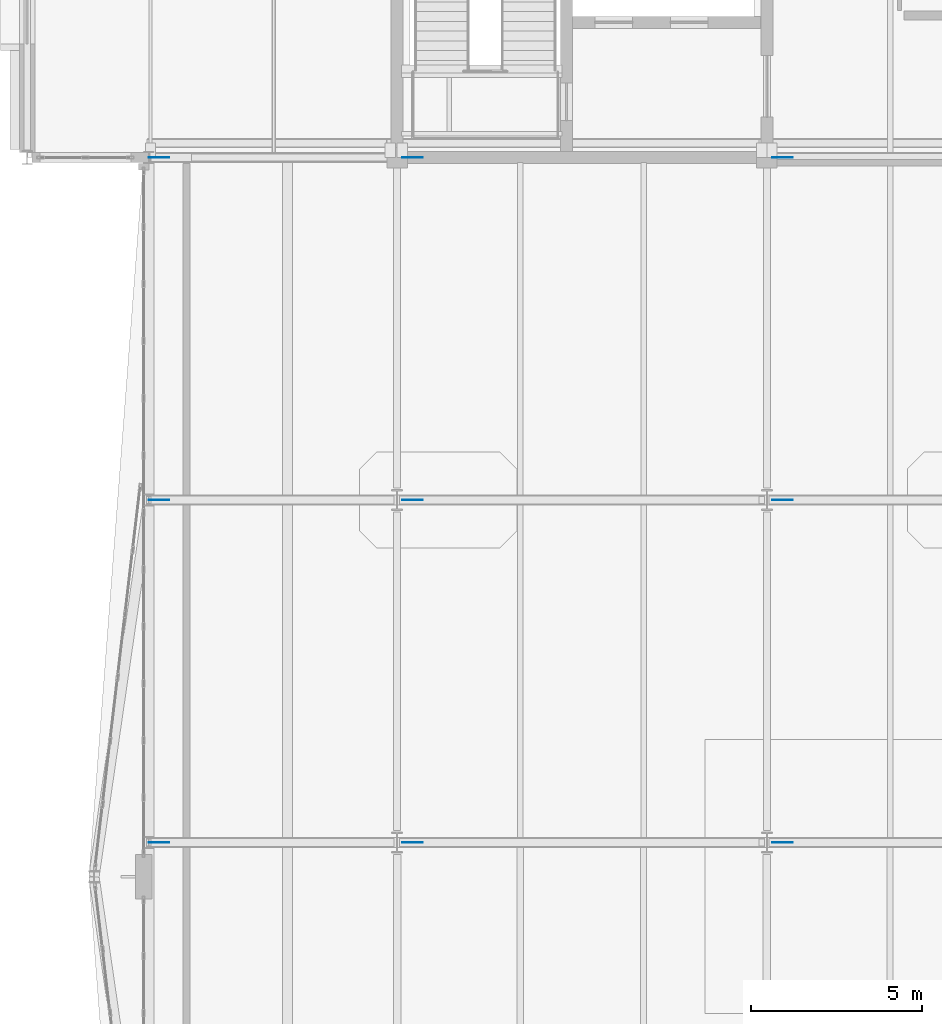
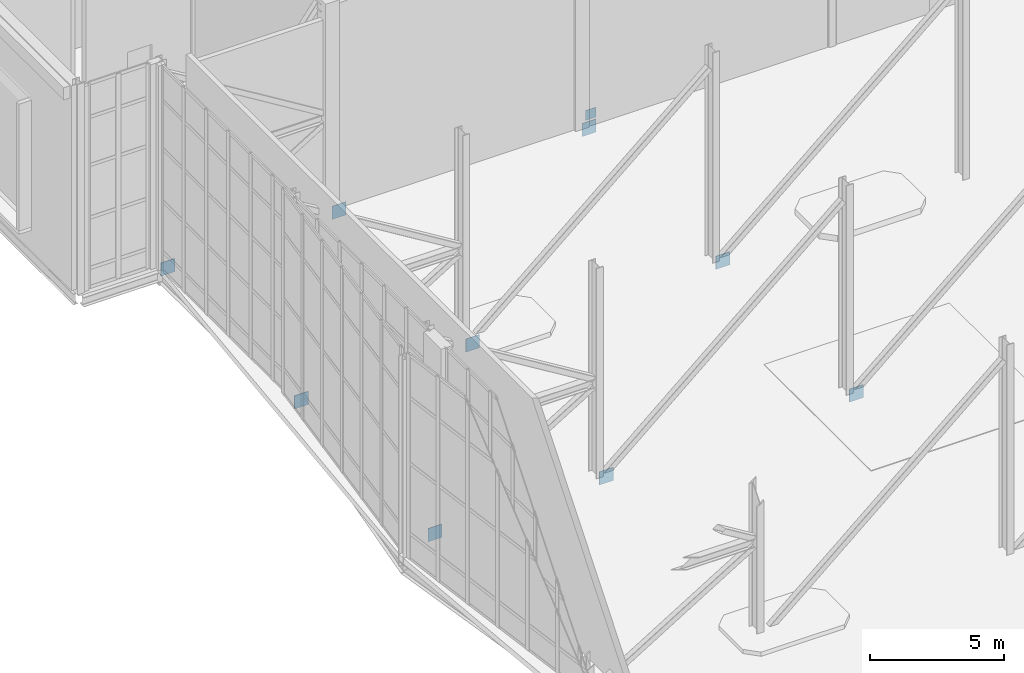
# One storey, part 76 of 100: 10 plates.
"""IFC4 building model written with IfcOpenShell, lengths in metres."""

from ifc_helpers import new_model, si_unit, direction, frame, origin, origin_2d, place, context, subcontext, project, spatial, rectangle, extrude, material, layer, layer_set, type_object, element, save


model = new_model("IFC4")

# Units and contexts
model_context = context("Model", 3, precision=1e-05, world=origin(), true_north=direction((0.0, 1.0)))
body_context = subcontext(model_context, "Body", "Model", "MODEL_VIEW")
ifc_project = project(units=[si_unit("LENGTHUNIT", "METRE"), si_unit("AREAUNIT", "SQUARE_METRE"), si_unit("VOLUMEUNIT", "CUBIC_METRE"), si_unit("PLANEANGLEUNIT", "RADIAN"), si_unit("MASSUNIT", "GRAM", prefix="KILO")], contexts=[model_context])

# Site, building, storey
site_placement = place(None, origin())
site = spatial("IfcSite", under=ifc_project, at=site_placement, CompositionType="ELEMENT")
building_placement = place(site_placement, origin())
building = spatial("IfcBuilding", under=site, at=building_placement, Name="Tasgan Crest Museum", CompositionType="ELEMENT")
storey_placement = place(building_placement, frame((0.0, 0.0, 14.39990234375)))
storey = spatial("IfcBuildingStorey", under=building, at=storey_placement, Name="L03", CompositionType="ELEMENT", Elevation=14.39990234375)

# Plates
ifc_material_1 = material(Name="Steel S355K2", Category="steel")
ifc_layer_1 = layer(ifc_material_1, 0.02001953125, Name="PL-GUSSET-450")
ifc_layer_set_1 = layer_set([ifc_layer_1], Name="Steel S355K2")
plate_type_1 = type_object("IfcPlateType", Name="PL-GUSSET-450", PredefinedType="USERDEFINED", material=ifc_layer_set_1)
plate_placement = place(storey_placement, frame((22.125, 82.0, 0.125), z_axis=(0.0, 0.0, 1.0), x_axis=(1.0, 0.0, 0.0)))
element("IfcPlate", 1, at=plate_placement, inside=storey, type_object=plate_type_1, Name="Diagonal gusset plate L03 J 21.6", ObjectType="GUSSET PLATE", PredefinedType="USERDEFINED", context=body_context, shape_type="SweptSolid", body=[
    extrude(rectangle(XDim=0.449951171875, YDim=0.02001953125, at=origin_2d()), origin(), (0.0, 0.0, 1.0), 0.449951171875),
])
ifc_material_2 = material(Name="Steel S355K2", Category="steel")
ifc_layer_2 = layer(ifc_material_2, 0.02392578125, Name="PL-GUSSET-600")
ifc_layer_set_2 = layer_set([ifc_layer_2], Name="Steel S355K2")
plate_type_2 = type_object("IfcPlateType", Name="PL-GUSSET-600", PredefinedType="USERDEFINED", material=ifc_layer_set_2)
for number, where, z_axis, x_axis, name in (
    (2, (3.85009765625, 62.0, -0.56005859375), (0.0, 0.0, 1.0), (1.0, 0.0, 0.0), "Transfer truss gusset L03 G-1"),
    (3, (11.25, 62.0, -0.56005859375), (0.0, 0.0, 1.0), (1.0, 0.0, 0.0), "Transfer truss gusset L03 G-2"),
    (4, (22.050048828125, 62.0, -0.56005859375), (0.0, 0.0, 1.0), (1.0, 0.0, 0.0), "Transfer truss gusset L03 G-3"),
    (5, (3.85009765625, 72.0, -0.56005859375), (0.0, 0.0, 1.0), (1.0, 0.0, 0.0), "Transfer truss gusset L03 H-1"),
    (6, (11.25, 72.0, -0.56005859375), (0.0, 0.0, 1.0), (1.0, 0.0, 0.0), "Transfer truss gusset L03 H-2"),
    (7, (22.050048828125, 72.0, -0.56005859375), (0.0, 0.0, 1.0), (1.0, 0.0, 0.0), "Transfer truss gusset L03 H-3"),
    (8, (3.85009765625, 82.0, -0.56005859375), (0.0, 0.0, 1.0), (1.0, 0.0, 0.0), "Transfer truss gusset L03 J-1"),
    (9, (11.25, 82.0, -0.56005859375), (0.0, 0.0, 1.0), (1.0, 0.0, 0.0), "Transfer truss gusset L03 J-2"),
    (10, (22.050048828125, 82.0, -0.56005859375), (0.0, 0.0, 1.0), (1.0, 0.0, 0.0), "Transfer truss gusset L03 J-3"),
):
    element("IfcPlate", number, at=place(storey_placement, frame(where, z_axis=z_axis, x_axis=x_axis)), inside=storey, type_object=plate_type_2, Name=name, ObjectType="GUSSET PLATE", PredefinedType="USERDEFINED", context=body_context, shape_type="SweptSolid", body=[
        extrude(rectangle(XDim=0.60009765625, YDim=0.02392578125, at=origin_2d()), origin(), (0.0, 0.0, 1.0), 0.60009765625),
    ])

save(model, "model.ifc")
